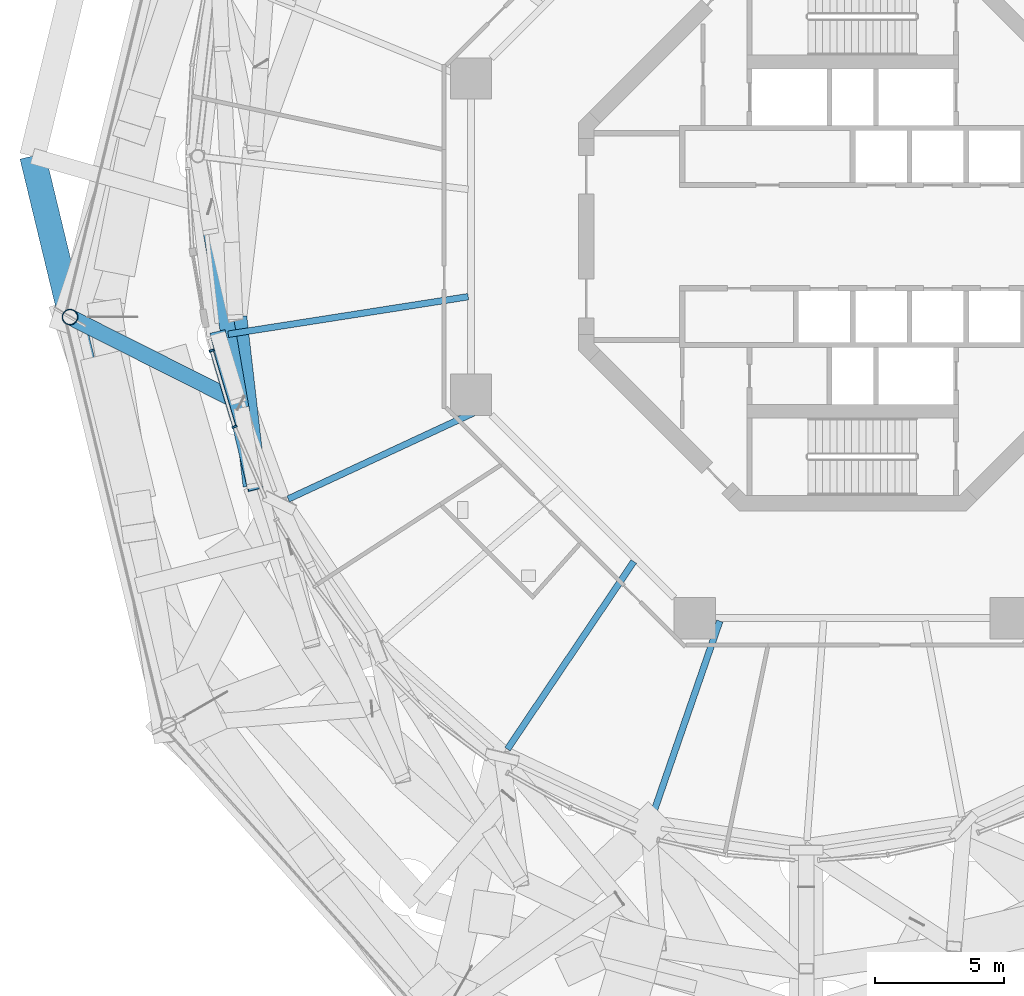
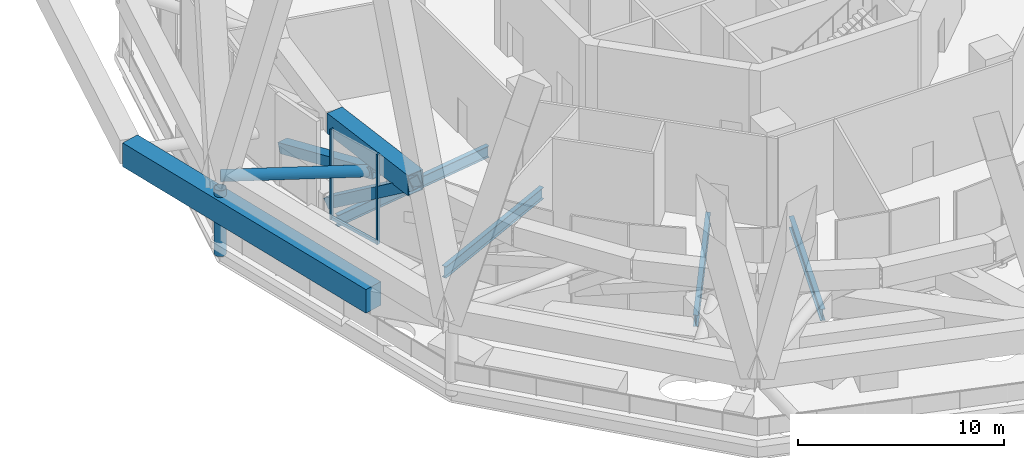
# One storey, part 6 of 48: 7 beams, 6 members, 2 elements without a shape of their own.
"""IFC4 building model written with IfcOpenShell, lengths in metres."""

from ifc_helpers import new_model, si_unit, direction, frame, origin, origin_2d, place, context, subcontext, project, spatial, rectangle, hollow_rectangle, hollow_circle, i_section, extrude, material, layer, layer_set, material_profile, profile_set, type_object, element, aggregate, save


model = new_model("IFC4")

# Units and contexts
model_context = context("Model", 3, precision=1e-05, world=origin(), true_north=direction((0.0, 1.0)))
body_context = subcontext(model_context, "Body", "Model", "MODEL_VIEW")
ifc_project = project(units=[si_unit("LENGTHUNIT", "METRE"), si_unit("AREAUNIT", "SQUARE_METRE"), si_unit("VOLUMEUNIT", "CUBIC_METRE"), si_unit("PLANEANGLEUNIT", "RADIAN"), si_unit("MASSUNIT", "GRAM", prefix="KILO")], contexts=[model_context])

# Site, building, storey
site_placement = place(None, origin())
site = spatial("IfcSite", under=ifc_project, at=site_placement, CompositionType="ELEMENT")
building_placement = place(site_placement, origin())
building = spatial("IfcBuilding", under=site, at=building_placement, Name="Nagisa Residences", CompositionType="ELEMENT")
storey_placement = place(building_placement, frame((0.0, 0.0, 252.89990234375)))
storey = spatial("IfcBuildingStorey", under=building, at=storey_placement, Name="L64", CompositionType="ELEMENT", Elevation=252.89990234375)

# Beams
ifc_material_1 = material(Name="Steel ASTM A572 Gr 50", Category="steel")
ifc_material_profile_1 = material_profile(ifc_material_1, hollow_rectangle(XDim=0.89990234375, YDim=1.199951171875, WallThickness=0.0400390625, at=origin_2d()), Name="BX 900x1200x40")
ifc_profile_set_1 = profile_set([ifc_material_profile_1], Name="Steel ASTM A572 Gr 50")
beam_type_1 = type_object("IfcBeamType", Name="Belt chord 5 BX 900x1200x40", PredefinedType="BEAM", material=ifc_profile_set_1)
beam_1_placement = place(storey_placement, frame((-23.919921875, -3.11767578125, 4.739990234375), z_axis=(0.114607198137, -0.993410886862, 0.0), x_axis=(0.993410886862, 0.114607198137, 0.0)))
element("IfcBeam", 1, at=beam_1_placement, inside=storey, type_object=beam_type_1, Name="beam:L64:bt5t13", PredefinedType="BEAM", context=body_context, shape_type="SweptSolid", body=[
    extrude(hollow_rectangle(XDim=0.89990234375, YDim=1.199951171875, WallThickness=0.0400390625, at=origin_2d()), origin(), (0.0, 0.0, 1.0), 6.575927734375),
])
ifc_material_2 = material(Name="Steel ASTM A572 Gr 50", Category="steel")
ifc_material_profile_2 = material_profile(ifc_material_2, hollow_rectangle(XDim=0.60009765625, YDim=0.60009765625, WallThickness=0.034912109375, at=origin_2d()), Name="BX 600x600x35")
ifc_profile_set_2 = profile_set([ifc_material_profile_2], Name="Steel ASTM A572 Gr 50")
beam_type_2 = type_object("IfcBeamType", Name="Belt diagonal 5 BX 600x600x35", PredefinedType="BEAM", material=ifc_profile_set_2)
beam_2_placement = place(storey_placement, frame((-24.8642578125, 0.187744140625, 1.550048828125), z_axis=(0.162018997857, -0.938675176771, 0.304366155883), x_axis=(0.985428731669, 0.170088843846, 0.0)))
element("IfcBeam", 2, at=beam_2_placement, inside=storey, type_object=beam_type_2, Name="beam:L64:bt5db13", PredefinedType="BEAM", context=body_context, shape_type="SweptSolid", body=[
    extrude(hollow_rectangle(XDim=0.60009765625, YDim=0.60009765625, WallThickness=0.034912109375, at=origin_2d()), origin(), (0.0, 0.0, 1.0), 7.359619140625),
])
beam_3_placement = place(storey_placement, frame((-24.56689453125, -3.842041015625, 0.60009765625), z_axis=(0.192687759534, -0.799064752846, 0.569532218654), x_axis=(0.972134890735, 0.234422170911, 0.0)))
element("IfcBeam", 3, at=beam_3_placement, inside=storey, type_object=beam_type_2, Name="beam:L64:bt5da14", PredefinedType="BEAM", context=body_context, shape_type="SweptSolid", body=[
    extrude(hollow_rectangle(XDim=0.60009765625, YDim=0.60009765625, WallThickness=0.034912109375, at=origin_2d()), origin(), (0.0, 0.0, 1.0), 7.26904296875),
])

# Curtain wall, member
ifc_material_3 = material(Name="Aluminium curtain wall system", Category="aluminium")
ifc_layer = layer(ifc_material_3, 0.159912109375)
ifc_layer_set = layer_set([ifc_layer], Name="CW2 CURTAIN WALL")
curtain_wall_type = type_object("IfcCurtainWallType", Name="CW2 CURTAIN WALL", PredefinedType="NOTDEFINED", material=ifc_layer_set)
curtain_wall_1_placement = place(storey_placement, origin())
curtain_wall_1 = element("IfcCurtainWall", 4, at=curtain_wall_1_placement, inside=storey, type_object=curtain_wall_type, Name="cw:CW2:L64:26", PredefinedType="NOTDEFINED")
ifc_material_4 = material(Name="Aluminium", Category="aluminium")
ifc_material_profile_3 = material_profile(ifc_material_4, rectangle(XDim=0.199951171875, YDim=0.080078125, at=origin_2d()), Name="CW2 MULLION 200x80")
ifc_profile_set_3 = profile_set([ifc_material_profile_3], Name="Aluminium")
member_type_1 = type_object("IfcMemberType", Name="CW2 MULLION 200x80", PredefinedType="MULLION", material=ifc_profile_set_3)
member_1_placement = place(storey_placement, frame((-24.8330078125, -4.41796875, 0.0), z_axis=(0.0, 0.0, 1.0), x_axis=(0.958271310082, 0.285860274038, 0.0)))
member_1 = element("IfcMember", 5, at=member_1_placement, type_object=member_type_1, Name="CW2 mullion", PredefinedType="MULLION", context=body_context, shape_type="SweptSolid", body=[
    extrude(rectangle(XDim=0.199951171875, YDim=0.080078125, at=origin_2d()), origin(), (0.0, 0.0, 1.0), 5.340087890625),
])

curtain_wall_2_placement = place(storey_placement, origin())
curtain_wall_2 = element("IfcCurtainWall", 6, at=curtain_wall_2_placement, inside=storey, type_object=curtain_wall_type, Name="cw:CW2:L64:27", PredefinedType="NOTDEFINED")
member_2_placement = place(storey_placement, frame((-23.948486328125, -7.368896484375, 0.0), z_axis=(0.0, 0.0, 1.0), x_axis=(0.917543276295, 0.397635934147, 0.0)))
member_2 = element("IfcMember", 7, at=member_2_placement, type_object=member_type_1, Name="CW2 mullion", PredefinedType="MULLION", context=body_context, shape_type="SweptSolid", body=[
    extrude(rectangle(XDim=0.199951171875, YDim=0.080078125, at=origin_2d()), origin(), (0.0, 0.0, 1.0), 5.340087890625),
])
aggregate(curtain_wall_2, [member_2])

# Member
ifc_material_5 = material(Name="Aluminium", Category="aluminium")
ifc_material_profile_4 = material_profile(ifc_material_5, rectangle(XDim=0.139892578125, YDim=0.179931640625, at=origin_2d()), Name="CW2 TRANSOM 140x180")
ifc_profile_set_4 = profile_set([ifc_material_profile_4], Name="Aluminium")
member_type_2 = type_object("IfcMemberType", Name="CW2 TRANSOM 140x180", PredefinedType="USERDEFINED", material=ifc_profile_set_4)
member_3_placement = place(storey_placement, frame((-24.844482421875, -4.379638671875, 0.090087890625), z_axis=(0.285825485865, -0.958281686995, 0.0), x_axis=(0.958281686995, 0.285825485865, 0.0)))
member_3 = element("IfcMember", 8, at=member_3_placement, type_object=member_type_2, Name="CW2 transom", ObjectType="TRANSOM", PredefinedType="USERDEFINED", context=body_context, shape_type="SweptSolid", body=[
    extrude(rectangle(XDim=0.139892578125, YDim=0.179931640625, at=origin_2d()), origin(), (0.0, 0.0, 1.0), 3.09033203125),
])

aggregate(curtain_wall_1, [member_1, member_3])

# Members
ifc_material_6 = material(Name="Concrete C80", Category="concrete")
ifc_material_profile_5 = material_profile(ifc_material_6, rectangle(XDim=1.0, YDim=1.39990234375, at=origin_2d()), Name="C80 1000x1400")
ifc_profile_set_5 = profile_set([ifc_material_profile_5], Name="Concrete C80")
member_type_3 = type_object("IfcMemberType", Name="Cage ring 5 C80 1000x1400", PredefinedType="CHORD", material=ifc_profile_set_5)
member_4_placement = place(storey_placement, frame((-31.77001953125, 3.11767578125, 1.900146484375), z_axis=(0.234495574244, -0.972117187205, 0.0), x_axis=(0.972117187205, 0.234495574244, 0.0)))
element("IfcMember", 9, at=member_4_placement, inside=storey, type_object=member_type_3, Name="beam:L64:cg5r107", PredefinedType="CHORD", context=body_context, shape_type="SweptSolid", body=[
    extrude(rectangle(XDim=1.0, YDim=1.39990234375, at=origin_2d()), origin(), (0.0, 0.0, 1.0), 17.12255859375),
])
ifc_material_7 = material(Name="Steel ASTM A572 Gr 65", Category="steel")
ifc_material_profile_6 = material_profile(ifc_material_7, hollow_circle(Radius=0.304931640625, WallThickness=0.02490234375, at=origin_2d()), Name="CHS 610x25")
ifc_profile_set_6 = profile_set([ifc_material_profile_6], Name="Steel ASTM A572 Gr 65")
member_type_4 = type_object("IfcMemberType", Name="Cage strut CHS 610x25", PredefinedType="STRUT", material=ifc_profile_set_6)
member_5_placement = place(storey_placement, frame((-30.320068359375, -3.11767578125, 3.7001953125), z_axis=(0.893062016285, -0.449933589621, 0.0), x_axis=(0.449933589621, 0.893062016285, 0.0)))
element("IfcMember", 10, at=member_5_placement, inside=storey, type_object=member_type_4, Name="mem:L64:bt5st6b07", PredefinedType="STRUT", context=body_context, shape_type="SweptSolid", body=[
    extrude(hollow_circle(Radius=0.304931640625, WallThickness=0.02490234375, at=origin_2d()), origin(), (0.0, 0.0, 1.0), 7.390380859375),
])
ifc_material_8 = material(Name="Steel ASTM A572 Gr 65", Category="steel")
ifc_material_profile_7 = material_profile(ifc_material_8, hollow_circle(Radius=0.304931640625, WallThickness=0.02490234375, at=origin_2d()), Name="CHS 610x25")
ifc_profile_set_7 = profile_set([ifc_material_profile_7], Name="Steel ASTM A572 Gr 65")
member_type_5 = type_object("IfcMemberType", Name="Deck hanger CHS 610x25", PredefinedType="POST", material=ifc_profile_set_7)
member_6_placement = place(storey_placement, frame((-30.320068359375, -3.11767578125, 3.0), z_axis=(0.0, 0.0, -1.0), x_axis=(1.0, 0.0, 0.0)))
element("IfcMember", 11, at=member_6_placement, inside=storey, type_object=member_type_5, Name="mem:L64:deckhanger04", PredefinedType="POST", context=body_context, shape_type="SweptSolid", body=[
    extrude(hollow_circle(Radius=0.304931640625, WallThickness=0.02490234375, at=origin_2d()), origin(), (0.0, 0.0, 1.0), 3.889892578125),
])

# Beams
ifc_material_9 = material(Name="Steel ASTM A572 Gr 50", Category="steel")
ifc_material_profile_8 = material_profile(ifc_material_9, i_section(OverallWidth=0.2529296875, OverallDepth=0.677978515625, WebThickness=0.01171875, FlangeThickness=0.016357421875, at=origin_2d()), Name="W690x125")
ifc_profile_set_8 = profile_set([ifc_material_profile_8], Name="Steel ASTM A572 Gr 50")
beam_type_3 = type_object("IfcBeamType", Name="Radial beam W690x125", PredefinedType="BEAM", material=ifc_profile_set_8)
beam_4_placement = place(storey_placement, frame((-24.190185546875, -3.782958984375, -0.68896484375), z_axis=(0.987992483487, 0.154501950063, 0.0), x_axis=(-0.154501950063, 0.987992483487, 0.0)))
element("IfcBeam", 12, at=beam_4_placement, inside=storey, type_object=beam_type_3, Name="beam:L64:rb14", PredefinedType="BEAM", context=body_context, shape_type="SweptSolid", body=[
    extrude(i_section(OverallWidth=0.2529296875, OverallDepth=0.677978515625, WebThickness=0.01171875, FlangeThickness=0.016357421875, at=origin_2d()), origin(), (0.0, 0.0, 1.0), 9.408447265625),
])
beam_5_placement = place(storey_placement, frame((-21.867431640625, -10.1669921875, -0.68896484375), z_axis=(0.906779738776, 0.421604678988, 0.0), x_axis=(-0.421604678988, 0.906779738776, 0.0)))
element("IfcBeam", 13, at=beam_5_placement, inside=storey, type_object=beam_type_3, Name="beam:L64:rb15", PredefinedType="BEAM", context=body_context, shape_type="SweptSolid", body=[
    extrude(i_section(OverallWidth=0.2529296875, OverallDepth=0.677978515625, WebThickness=0.01171875, FlangeThickness=0.016357421875, at=origin_2d()), origin(), (0.0, 0.0, 1.0), 8.257080078125),
])
beam_6_placement = place(storey_placement, frame((-13.372802734375, -19.8544921875, -0.68896484375), z_axis=(0.558641845111, 0.829408999765, 0.0), x_axis=(-0.829408999765, 0.558641845111, 0.0)))
element("IfcBeam", 14, at=beam_6_placement, inside=storey, type_object=beam_type_3, Name="beam:L64:rb17", PredefinedType="BEAM", context=body_context, shape_type="SweptSolid", body=[
    extrude(i_section(OverallWidth=0.2529296875, OverallDepth=0.677978515625, WebThickness=0.01171875, FlangeThickness=0.016357421875, at=origin_2d()), origin(), (0.0, 0.0, 1.0), 8.762451171875),
])
beam_7_placement = place(storey_placement, frame((-7.776123046875, -22.49658203125, -0.68896484375), z_axis=(0.326709107488, 0.945124943637, 0.0), x_axis=(-0.945124943637, 0.326709107488, 0.0)))
element("IfcBeam", 15, at=beam_7_placement, inside=storey, type_object=beam_type_3, Name="beam:L64:rb18", PredefinedType="BEAM", context=body_context, shape_type="SweptSolid", body=[
    extrude(i_section(OverallWidth=0.2529296875, OverallDepth=0.677978515625, WebThickness=0.01171875, FlangeThickness=0.016357421875, at=origin_2d()), origin(), (0.0, 0.0, 1.0), 8.042236328125),
])

save(model, "model.ifc")
